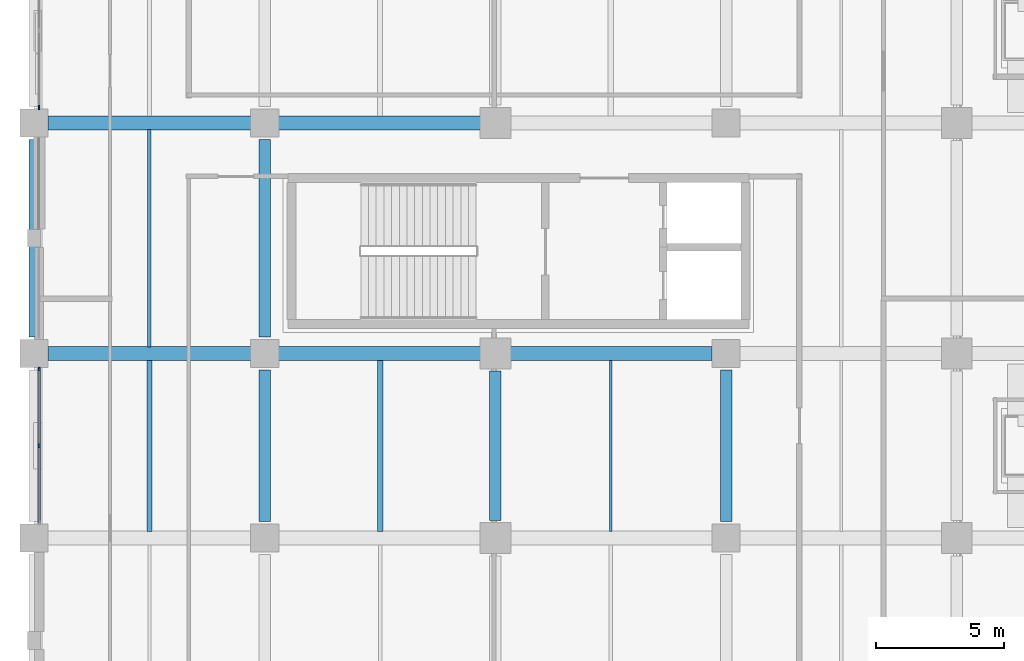
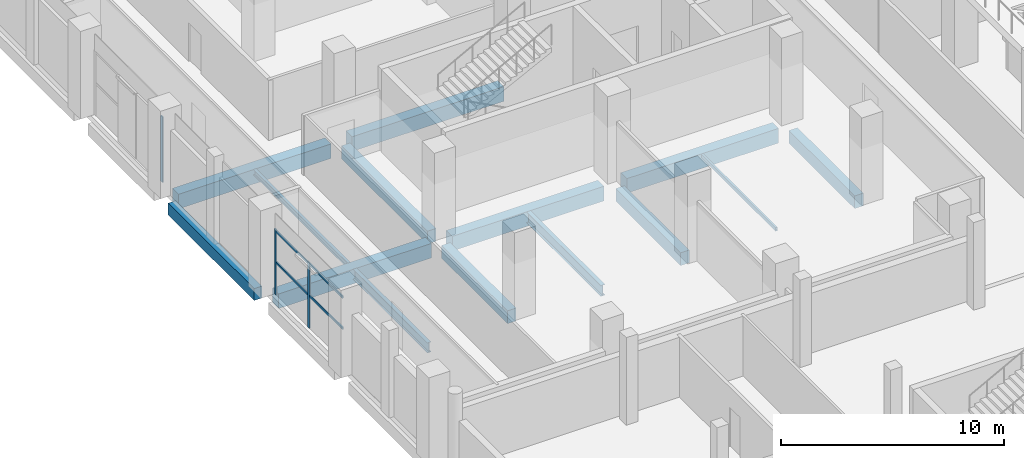
# One storey, part 9 of 100: 14 beams, 5 members, 2 elements without a shape of their own.
"""IFC4 building model written with IfcOpenShell, lengths in metres."""

import ifcopenshell
import ifcopenshell.guid

model = None  # the IFC model being written
_history = None  # IfcOwnerHistory: only IFC2X3 demands one
_inside = {}  # id of a spatial element -> (the spatial element, [elements in it])
_under = {}  # id of a project, library or spatial element -> (it, [spatial elements below it])
_declared = {}  # id of a project -> (the project, [libraries it declares])
_typed = {}  # id of a type object -> (the type object, [elements of that type])
_made_of = {}  # id of a material, layer set ... -> (it, [elements and type objects made of it])


def new_model(schema):
    """Start an empty IFC model of exactly this schema.

    Asked for "IFC4X3", IfcOpenShell would pick the latest addendum, in which some entities
    have other attributes; the version numbers below select the first issue.
    IFC2X3 requires an IfcOwnerHistory on every rooted entity: one is made here for all.
    """
    global model, _history
    if schema == "IFC4X3":
        model = ifcopenshell.file(schema_version=(4, 3, 0, 0))
    else:
        model = ifcopenshell.file(schema=schema)
    _inside.clear()
    _under.clear()
    _declared.clear()
    _typed.clear()
    _made_of.clear()
    _history = None
    if model.schema == "IFC2X3":
        org = make("IfcOrganization", Name="unknown")
        user = make(
            "IfcPersonAndOrganization",
            ThePerson=make("IfcPerson", FamilyName="unknown"),
            TheOrganization=org,
        )
        app = make(
            "IfcApplication",
            ApplicationDeveloper=org,
            Version="unknown",
            ApplicationFullName="unknown",
            ApplicationIdentifier="unknown",
        )
        _history = make(
            "IfcOwnerHistory",
            OwningUser=user,
            OwningApplication=app,
            ChangeAction="ADDED",
            CreationDate=0,
        )
    return model


def make(cls, **values):
    """One entity of the class cls with the attributes given. An attribute that is None is left unset."""
    return model.create_entity(
        cls, **{name: value for name, value in values.items() if value is not None}
    )


def rooted(cls, **values):
    """An entity with a GlobalId (a new one), such as an element, a storey or a relation."""
    return make(cls, GlobalId=ifcopenshell.guid.new(), OwnerHistory=_history, **values)


def si_unit(unit_type, name, prefix=None):
    """IfcSIUnit, for example si_unit("LENGTHUNIT", "METRE", prefix="MILLI")."""
    return make("IfcSIUnit", UnitType=unit_type, Prefix=prefix, Name=name)


def assignment(units):
    """IfcUnitAssignment: the units of a project."""
    return None if units is None else make("IfcUnitAssignment", Units=units)


def point(xyz):
    """IfcCartesianPoint."""
    return None if xyz is None else make("IfcCartesianPoint", Coordinates=xyz)


def direction(xyz):
    """IfcDirection."""
    return None if xyz is None else make("IfcDirection", DirectionRatios=xyz)


def frame(location, z_axis=None, x_axis=None):
    """IfcAxis2Placement3D, a coordinate frame: its origin and axes. An axis left out is left unset."""
    return make(
        "IfcAxis2Placement3D",
        Location=point(location),
        Axis=direction(z_axis),
        RefDirection=direction(x_axis),
    )


def frame_2d(location, x_axis=None):
    """IfcAxis2Placement2D, a coordinate frame in the plane: its origin and x axis."""
    return make(
        "IfcAxis2Placement2D", Location=point(location), RefDirection=direction(x_axis)
    )


def origin():
    """The frame at (0, 0, 0) with its axes left unset."""
    return frame((0.0, 0.0, 0.0))


def origin_2d():
    """The frame at (0, 0) in the plane with its x axis left unset."""
    return frame_2d((0.0, 0.0))


def place(relative_to, where):
    """IfcLocalPlacement: puts the frame where relative to a parent placement (None: the world)."""
    return make(
        "IfcLocalPlacement", PlacementRelTo=relative_to, RelativePlacement=where
    )


def context(
    kind, dimensions, precision=None, world=None, true_north=None, identifier=None
):
    """IfcGeometricRepresentationContext, for example the 3D "Model" context."""
    return make(
        "IfcGeometricRepresentationContext",
        ContextIdentifier=identifier,
        ContextType=kind,
        CoordinateSpaceDimension=dimensions,
        Precision=precision,
        WorldCoordinateSystem=world,
        TrueNorth=true_north,
    )


def subcontext(parent, identifier, kind, view, scale=None):
    """IfcGeometricRepresentationSubContext, for example "Body" below "Model"."""
    return make(
        "IfcGeometricRepresentationSubContext",
        ContextIdentifier=identifier,
        ContextType=kind,
        ParentContext=parent,
        TargetScale=scale,
        TargetView=view,
    )


def project(units=None, contexts=None):
    """IfcProject with its units and contexts."""
    return rooted(
        "IfcProject",
        Name="project",
        RepresentationContexts=contexts,
        UnitsInContext=assignment(units),
    )


def spatial(cls, under=None, at=None, **own):
    """A site, building, storey or space (cls), placed at a placement, below another one or the project."""
    s = rooted(cls, ObjectPlacement=at, **own)
    if under is not None:
        _under.setdefault(under.id(), (under, []))[1].append(s)
    return s


def profile(cls, at=None, kind="AREA", **sizes):
    """A parametric profile (cls). Its sizes go by their IFC names, for example OverallWidth=200.0."""
    return make(cls, ProfileType=kind, Position=at, **sizes)


def rectangle(**sizes):
    """IfcRectangleProfileDef."""
    return profile("IfcRectangleProfileDef", **sizes)


def hollow_rectangle(**sizes):
    """IfcRectangleHollowProfileDef."""
    return profile("IfcRectangleHollowProfileDef", **sizes)


def i_section(**sizes):
    """IfcIShapeProfileDef."""
    return profile("IfcIShapeProfileDef", **sizes)


def extrude(swept, where, along, depth):
    """IfcExtrudedAreaSolid: the profile swept, set in the frame where, extruded along a direction by depth."""
    return make(
        "IfcExtrudedAreaSolid",
        SweptArea=swept,
        Position=where,
        ExtrudedDirection=direction(along),
        Depth=depth,
    )


def shape(context_of_items, identifier, shape_type, items):
    """IfcShapeRepresentation: the items that make up one representation, for example the "Body"."""
    return make(
        "IfcShapeRepresentation",
        ContextOfItems=context_of_items,
        RepresentationIdentifier=identifier,
        RepresentationType=shape_type,
        Items=items,
    )


def material(Name=None, Category=None):
    """IfcMaterial."""
    return make("IfcMaterial", Name=Name, Category=Category)


def material_profile(
    of_material, cross_section, Name=None, Category=None, Priority=None
):
    """IfcMaterialProfile: a cross section and its material."""
    return make(
        "IfcMaterialProfile",
        Name=Name,
        Material=of_material,
        Profile=cross_section,
        Priority=Priority,
        Category=Category,
    )


def profile_set(profiles, Name=None, composite=None):
    """IfcMaterialProfileSet."""
    return make(
        "IfcMaterialProfileSet",
        Name=Name,
        MaterialProfiles=profiles,
        CompositeProfile=composite,
    )


def made_of(thing, what):
    """Note that an element or type object is made of a material, layer set ...; save() writes the relation."""
    if what is not None:
        _made_of.setdefault(what.id(), (what, []))[1].append(thing)
    return thing


def type_object(cls, material=None, **own):
    """A type object (cls), such as IfcWallType, which elements share."""
    return made_of(rooted(cls, **own), material)


def element(
    cls,
    number,
    at=None,
    inside=None,
    cuts=None,
    type_object=None,
    material=None,
    context=None,
    identifier="Body",
    shape_type=None,
    held_by="IfcProductDefinitionShape",
    body=None,
    shapes=None,
    **own,
):
    """One element of the class cls, such as IfcWall. Its Tag is "e" and its number.

    at: its placement. inside: the storey or other place that contains it. cuts: it is an
    opening in that element (IfcRelVoidsElement). A single representation is given by context,
    identifier, shape_type and body (its items); several are given by shapes. held_by: the class
    of the entity that holds the representations. save() writes the other relations.
    """
    e = rooted(cls, Tag="e%d" % number, ObjectPlacement=at, **own)
    if body is not None:
        shapes = [shape(context, identifier, shape_type, body)]
    if shapes is not None:
        e.Representation = make(held_by, Representations=shapes)
    if inside is not None:
        _inside.setdefault(inside.id(), (inside, []))[1].append(e)
    if cuts is not None:
        rooted(
            "IfcRelVoidsElement", RelatingBuildingElement=cuts, RelatedOpeningElement=e
        )
    if type_object is not None:
        _typed.setdefault(type_object.id(), (type_object, []))[1].append(e)
    return made_of(e, material)


def aggregate(whole, parts):
    """IfcRelAggregates: a whole, such as a stair, and the parts it consists of."""
    return rooted("IfcRelAggregates", RelatingObject=whole, RelatedObjects=parts)


def save(model, path):
    """Write the relations noted so far, then the file.

    IfcRelAggregates (storeys below a building ...), IfcRelContainedInSpatialStructure (elements
    in a storey), IfcRelDefinesByType, IfcRelAssociatesMaterial and IfcRelDeclares: one each for
    every whole, place, type object, material and project.
    """
    for whole, parts in _under.values():
        aggregate(whole, parts)
    for where, things in _inside.values():
        rooted(
            "IfcRelContainedInSpatialStructure",
            RelatedElements=things,
            RelatingStructure=where,
        )
    for kind, things in _typed.values():
        rooted("IfcRelDefinesByType", RelatedObjects=things, RelatingType=kind)
    for what, things in _made_of.values():
        rooted("IfcRelAssociatesMaterial", RelatedObjects=things, RelatingMaterial=what)
    for by, libraries in _declared.values():
        rooted("IfcRelDeclares", RelatingContext=by, RelatedDefinitions=libraries)
    model.write(path)


model = new_model("IFC4")

# Units and contexts
model_context = context("Model", 3, precision=1e-05, world=origin(), true_north=direction((0.0, 1.0)))
body_context = subcontext(model_context, "Body", "Model", "MODEL_VIEW")
ifc_project = project(units=[si_unit("LENGTHUNIT", "METRE"), si_unit("AREAUNIT", "SQUARE_METRE"), si_unit("VOLUMEUNIT", "CUBIC_METRE"), si_unit("PLANEANGLEUNIT", "RADIAN"), si_unit("MASSUNIT", "GRAM", prefix="KILO"), si_unit("THERMODYNAMICTEMPERATUREUNIT", "KELVIN"), si_unit("POWERUNIT", "WATT")], contexts=[model_context])

# Site, building, storey
site_placement = place(None, origin())
site = spatial("IfcSite", under=ifc_project, at=site_placement, CompositionType="ELEMENT")
building_placement = place(site_placement, origin())
building = spatial("IfcBuilding", under=site, at=building_placement, Name="Sindhuravela Promenade Stadium", CompositionType="ELEMENT")
storey_placement = place(building_placement, frame((0.0, 0.0, 4.800048828125)))
storey = spatial("IfcBuildingStorey", under=building, at=storey_placement, Name="L01", CompositionType="ELEMENT", Elevation=4.800048828125)

# Curtain wall, members
ifc_material_1 = material(Name="Anodised architectural aluminium 6063-T6", Category="aluminium")
curtain_wall_type_1 = type_object("IfcCurtainWallType", Name="CW-MOD-2", PredefinedType="NOTDEFINED", material=ifc_material_1)
curtain_wall_1_placement = place(storey_placement, origin())
curtain_wall_1 = element("IfcCurtainWall", 1, at=curtain_wall_1_placement, inside=storey, type_object=curtain_wall_type_1, Name="Bronze curtain wall CW-WEST-L01-001", PredefinedType="NOTDEFINED")
ifc_material_profile_1 = material_profile(ifc_material_1, rectangle(XDim=0.06494140625, YDim=0.14990234375, at=origin_2d()), Name="ALU MULL 65x150")
ifc_profile_set_1 = profile_set([ifc_material_profile_1], Name="Anodised architectural aluminium 6063-T6")
member_type_1 = type_object("IfcMemberType", Name="CW-MUL-2", PredefinedType="MULLION", material=ifc_profile_set_1)
member_1_placement = place(storey_placement, frame((0.199951171875, 48.60009765625, 0.0), z_axis=(0.0, 0.0, 1.0), x_axis=(1.0, 0.0, 0.0)))
member_1 = element("IfcMember", 2, at=member_1_placement, type_object=member_type_1, Name="Curtain wall mullion CW-WEST-L01-001-M2", PredefinedType="MULLION", context=body_context, shape_type="SweptSolid", body=[
    extrude(rectangle(XDim=0.06494140625, YDim=0.14990234375, at=origin_2d()), origin(), (0.0, 0.0, 1.0), 3.579833984375),
])
member_2_placement = place(storey_placement, frame((0.199951171875, 51.60009765625, 0.0), z_axis=(0.0, 0.0, 1.0), x_axis=(1.0, 0.0, 0.0)))
member_2 = element("IfcMember", 3, at=member_2_placement, type_object=member_type_1, Name="Curtain wall mullion CW-WEST-L01-001-M3", PredefinedType="MULLION", context=body_context, shape_type="SweptSolid", body=[
    extrude(rectangle(XDim=0.06494140625, YDim=0.14990234375, at=origin_2d()), origin(), (0.0, 0.0, 1.0), 3.579833984375),
])

# Curtain wall, member
curtain_wall_type_2 = type_object("IfcCurtainWallType", Name="CW-MOD-3", PredefinedType="NOTDEFINED", material=ifc_material_1)
curtain_wall_2_placement = place(storey_placement, origin())
curtain_wall_2 = element("IfcCurtainWall", 4, at=curtain_wall_2_placement, inside=storey, type_object=curtain_wall_type_2, Name="Bronze curtain wall CW-WEST-L01-002", PredefinedType="NOTDEFINED")
ifc_material_profile_2 = material_profile(ifc_material_1, rectangle(XDim=0.06005859375, YDim=0.179931640625, at=origin_2d()), Name="ALU M60x180")
ifc_profile_set_2 = profile_set([ifc_material_profile_2], Name="Anodised architectural aluminium 6063-T6")
member_type_2 = type_object("IfcMemberType", Name="CW-MUL-3", PredefinedType="MULLION", material=ifc_profile_set_2)
member_3_placement = place(storey_placement, frame((0.199951171875, 61.800048828125, 0.0), z_axis=(0.0, 0.0, 1.0), x_axis=(1.0, 0.0, 0.0)))
member_3 = element("IfcMember", 5, at=member_3_placement, type_object=member_type_2, Name="Curtain wall mullion CW-WEST-L01-002-M1", PredefinedType="MULLION", context=body_context, shape_type="SweptSolid", body=[
    extrude(rectangle(XDim=0.06005859375, YDim=0.179931640625, at=origin_2d()), origin(), (0.0, 0.0, 1.0), 3.579833984375),
])
aggregate(curtain_wall_2, [member_3])

# Member
ifc_material_profile_3 = material_profile(ifc_material_1, rectangle(XDim=0.06494140625, YDim=0.125, at=origin_2d()), Name="ALU TRAN 65x125")
ifc_profile_set_3 = profile_set([ifc_material_profile_3], Name="Anodised architectural aluminium 6063-T6")
member_type_3 = type_object("IfcMemberType", Name="CW-TRN-2", PredefinedType="USERDEFINED", material=ifc_profile_set_3)
member_4_placement = place(storey_placement, frame((0.199951171875, 45.574951171875, 1.7900390625), z_axis=(0.0, 1.0, 0.0), x_axis=(-1.0, 0.0, 0.0)))
member_4 = element("IfcMember", 6, at=member_4_placement, type_object=member_type_3, Name="Curtain wall transom CW-WEST-L01-001-T1", ObjectType="TRANSOM", PredefinedType="USERDEFINED", context=body_context, shape_type="SweptSolid", body=[
    extrude(rectangle(XDim=0.06494140625, YDim=0.125, at=origin_2d()), origin(), (0.0, 0.0, 1.0), 6.050048828125),
])

member_5_placement = place(storey_placement, frame((0.199951171875, 45.574951171875, 3.5), z_axis=(0.0, 1.0, 0.0), x_axis=(-1.0, 0.0, 0.0)))
member_5 = element("IfcMember", 7, at=member_5_placement, type_object=member_type_3, Name="Curtain wall transom CW-WEST-L01-001-T2", ObjectType="TRANSOM", PredefinedType="USERDEFINED", context=body_context, shape_type="SweptSolid", body=[
    extrude(rectangle(XDim=0.06494140625, YDim=0.125, at=origin_2d()), origin(), (0.0, 0.0, 1.0), 6.050048828125),
])

aggregate(curtain_wall_1, [member_1, member_2, member_4, member_5])

# Beams
ifc_material_2 = material(Name="Concrete M40", Category="concrete")
ifc_material_profile_4 = material_profile(ifc_material_2, rectangle(XDim=0.39990234375, YDim=0.64990234375, at=origin_2d()), Name="RC 400x650")
ifc_profile_set_4 = profile_set([ifc_material_profile_4], Name="Concrete M40")
beam_type_1 = type_object("IfcBeamType", Name="RC-BM-400x650", PredefinedType="SPANDREL", material=ifc_profile_set_4)
beam_1_placement = place(storey_placement, frame((0.0, 52.840087890625, -0.625), z_axis=(0.0, 1.0, 0.0), x_axis=(-1.0, 0.0, 0.0)))
element("IfcBeam", 8, at=beam_1_placement, inside=storey, type_object=beam_type_1, Name="Primary beam SP01 WEST L01", PredefinedType="SPANDREL", context=body_context, shape_type="SweptSolid", body=[
    extrude(rectangle(XDim=0.39990234375, YDim=0.64990234375, at=origin_2d()), origin(), (0.0, 0.0, 1.0), 7.719970703125),
])
ifc_material_profile_5 = material_profile(ifc_material_2, rectangle(XDim=0.449951171875, YDim=0.699951171875, at=origin_2d()), Name="RC 450x700")
ifc_profile_set_5 = profile_set([ifc_material_profile_5], Name="Concrete M40")
beam_type_2 = type_object("IfcBeamType", Name="RC-BM-450x700", PredefinedType="BEAM", material=ifc_profile_set_5)
beam_2_placement = place(storey_placement, frame((9.0, 45.639892578125, -0.650146484375), z_axis=(0.0, 1.0, 0.0), x_axis=(-1.0, 0.0, 0.0)))
element("IfcBeam", 9, at=beam_2_placement, inside=storey, type_object=beam_type_2, Name="Primary beam GB07 WEST L01", PredefinedType="BEAM", context=body_context, shape_type="SweptSolid", body=[
    extrude(rectangle(XDim=0.449951171875, YDim=0.699951171875, at=origin_2d()), origin(), (0.0, 0.0, 1.0), 5.920166015625),
])
beam_3_placement = place(storey_placement, frame((9.0, 52.840087890625, -0.650146484375), z_axis=(0.0, 1.0, 0.0), x_axis=(-1.0, 0.0, 0.0)))
element("IfcBeam", 10, at=beam_3_placement, inside=storey, type_object=beam_type_2, Name="Primary beam GB07 WEST L01", PredefinedType="BEAM", context=body_context, shape_type="SweptSolid", body=[
    extrude(rectangle(XDim=0.449951171875, YDim=0.699951171875, at=origin_2d()), origin(), (0.0, 0.0, 1.0), 7.719970703125),
])
beam_4_placement = place(storey_placement, frame((18.0, 45.68994140625, -0.650146484375), z_axis=(0.0, 1.0, 0.0), x_axis=(-1.0, 0.0, 0.0)))
element("IfcBeam", 11, at=beam_4_placement, inside=storey, type_object=beam_type_2, Name="Primary beam GB07 WEST L01", PredefinedType="BEAM", context=body_context, shape_type="SweptSolid", body=[
    extrude(rectangle(XDim=0.449951171875, YDim=0.699951171875, at=origin_2d()), origin(), (0.0, 0.0, 1.0), 5.820068359375),
])
beam_5_placement = place(storey_placement, frame((27.0, 45.639892578125, -0.650146484375), z_axis=(0.0, 1.0, 0.0), x_axis=(-1.0, 0.0, 0.0)))
element("IfcBeam", 12, at=beam_5_placement, inside=storey, type_object=beam_type_2, Name="Primary beam GB07 WEST L01", PredefinedType="BEAM", context=body_context, shape_type="SweptSolid", body=[
    extrude(rectangle(XDim=0.449951171875, YDim=0.699951171875, at=origin_2d()), origin(), (0.0, 0.0, 1.0), 5.920166015625),
])
ifc_material_profile_6 = material_profile(ifc_material_2, rectangle(XDim=0.550048828125, YDim=0.800048828125, at=origin_2d()), Name="RC 550x800")
ifc_profile_set_6 = profile_set([ifc_material_profile_6], Name="Concrete M40")
beam_type_3 = type_object("IfcBeamType", Name="RC-BM-550x800", PredefinedType="BEAM", material=ifc_profile_set_6)
beam_6_placement = place(storey_placement, frame((0.5400390625, 52.199951171875, -0.699951171875), z_axis=(1.0, 0.0, 0.0), x_axis=(0.0, 1.0, 0.0)))
element("IfcBeam", 13, at=beam_6_placement, inside=storey, type_object=beam_type_3, Name="Primary girder GB05 WEST L01", PredefinedType="BEAM", context=body_context, shape_type="SweptSolid", body=[
    extrude(rectangle(XDim=0.550048828125, YDim=0.800048828125, at=origin_2d()), origin(), (0.0, 0.0, 1.0), 7.919921875),
])
for number, where, z_axis, x_axis, name in (
    (14, (9.5400390625, 52.199951171875, -0.699951171875), (1.0, 0.0, 0.0), (0.0, 1.0, 0.0), "Primary girder GB05 WEST L01"),
    (15, (18.590087890625, 52.199951171875, -0.699951171875), (1.0, 0.0, 0.0), (0.0, 1.0, 0.0), "Primary girder GB05 WEST L01"),
):
    element("IfcBeam", number, at=place(storey_placement, frame(where, z_axis=z_axis, x_axis=x_axis)), inside=storey, type_object=beam_type_3, Name=name, PredefinedType="BEAM", context=body_context, shape_type="SweptSolid", body=[
        extrude(rectangle(XDim=0.550048828125, YDim=0.800048828125, at=origin_2d()), origin(), (0.0, 0.0, 1.0), 7.869873046875),
    ])
beam_7_placement = place(storey_placement, frame((0.5400390625, 61.199951171875, -0.699951171875), z_axis=(1.0, 0.0, 0.0), x_axis=(0.0, 1.0, 0.0)))
element("IfcBeam", 16, at=beam_7_placement, inside=storey, type_object=beam_type_3, Name="Primary girder GB05 WEST L01", PredefinedType="BEAM", context=body_context, shape_type="SweptSolid", body=[
    extrude(rectangle(XDim=0.550048828125, YDim=0.800048828125, at=origin_2d()), origin(), (0.0, 0.0, 1.0), 7.919921875),
])
beam_8_placement = place(storey_placement, frame((9.5400390625, 61.199951171875, -0.699951171875), z_axis=(1.0, 0.0, 0.0), x_axis=(0.0, 1.0, 0.0)))
element("IfcBeam", 17, at=beam_8_placement, inside=storey, type_object=beam_type_3, Name="Primary girder GB05 WEST L01", PredefinedType="BEAM", context=body_context, shape_type="SweptSolid", body=[
    extrude(rectangle(XDim=0.550048828125, YDim=0.800048828125, at=origin_2d()), origin(), (0.0, 0.0, 1.0), 7.869873046875),
])
ifc_material_3 = material(Name="Steel E350 (IS 2062 E350BR)", Category="steel")
ifc_material_profile_7 = material_profile(ifc_material_3, hollow_rectangle(XDim=0.10009765625, YDim=0.199951171875, WallThickness=0.008056640625, at=origin_2d()), Name="RHS 200x100x8")
ifc_profile_set_7 = profile_set([ifc_material_profile_7], Name="Steel E350 (IS 2062 E350BR)")
beam_type_4 = type_object("IfcBeamType", Name="ST-BM-LNT200", PredefinedType="LINTEL", material=ifc_profile_set_7)
beam_9_placement = place(storey_placement, frame((22.5, 45.264892578125, -0.400146484375), z_axis=(0.0, 1.0, 0.0), x_axis=(-1.0, 0.0, 0.0)))
element("IfcBeam", 18, at=beam_9_placement, inside=storey, type_object=beam_type_4, Name="Secondary floor joist LN01 WEST L01", PredefinedType="LINTEL", context=body_context, shape_type="SweptSolid", body=[
    extrude(hollow_rectangle(XDim=0.10009765625, YDim=0.199951171875, WallThickness=0.008056640625, at=origin_2d()), origin(), (0.0, 0.0, 1.0), 6.670166015625),
])
ifc_material_profile_8 = material_profile(ifc_material_3, i_section(OverallWidth=0.139892578125, OverallDepth=0.300048828125, WebThickness=0.0078125, FlangeThickness=0.01318359375, FilletRadius=0.013916015625, at=origin_2d()), Name="ISMB 300")
ifc_profile_set_8 = profile_set([ifc_material_profile_8], Name="Steel E350 (IS 2062 E350BR)")
beam_type_5 = type_object("IfcBeamType", Name="ST-BM-MB300", PredefinedType="JOIST", material=ifc_profile_set_8)
beam_10_placement = place(storey_placement, frame((4.5, 52.465087890625, -0.449951171875), z_axis=(0.0, 1.0, 0.0), x_axis=(-1.0, 0.0, 0.0)))
element("IfcBeam", 19, at=beam_10_placement, inside=storey, type_object=beam_type_5, Name="Secondary floor joist SB03 WEST L01", PredefinedType="JOIST", context=body_context, shape_type="SweptSolid", body=[
    extrude(i_section(OverallWidth=0.139892578125, OverallDepth=0.300048828125, WebThickness=0.0078125, FlangeThickness=0.01318359375, FilletRadius=0.013916015625, at=origin_2d()), origin(), (0.0, 0.0, 1.0), 8.469970703125),
])
ifc_material_profile_9 = material_profile(ifc_material_3, i_section(OverallWidth=0.18994140625, OverallDepth=0.550048828125, WebThickness=0.01123046875, FlangeThickness=0.019287109375, FilletRadius=0.01806640625, at=origin_2d()), Name="ISMB 550")
ifc_profile_set_9 = profile_set([ifc_material_profile_9], Name="Steel E350 (IS 2062 E350BR)")
beam_type_6 = type_object("IfcBeamType", Name="ST-BM-MB550", PredefinedType="SPANDREL", material=ifc_profile_set_9)
beam_11_placement = place(storey_placement, frame((4.5, 45.264892578125, -0.574951171875), z_axis=(0.0, 1.0, 0.0), x_axis=(-1.0, 0.0, 0.0)))
element("IfcBeam", 20, at=beam_11_placement, inside=storey, type_object=beam_type_6, Name="Secondary floor joist SB08 WEST L01", PredefinedType="SPANDREL", context=body_context, shape_type="SweptSolid", body=[
    extrude(i_section(OverallWidth=0.18994140625, OverallDepth=0.550048828125, WebThickness=0.01123046875, FlangeThickness=0.019287109375, FilletRadius=0.01806640625, at=origin_2d()), origin(), (0.0, 0.0, 1.0), 6.670166015625),
])
ifc_material_profile_10 = material_profile(ifc_material_3, i_section(OverallWidth=0.2099609375, OverallDepth=0.60009765625, WebThickness=0.011962890625, FlangeThickness=0.020751953125, FilletRadius=0.02001953125, at=origin_2d()), Name="ISMB 600")
ifc_profile_set_10 = profile_set([ifc_material_profile_10], Name="Steel E350 (IS 2062 E350BR)")
beam_type_7 = type_object("IfcBeamType", Name="ST-BM-MB600", PredefinedType="BEAM", material=ifc_profile_set_10)
beam_12_placement = place(storey_placement, frame((13.5, 45.264892578125, -0.60009765625), z_axis=(0.0, 1.0, 0.0), x_axis=(-1.0, 0.0, 0.0)))
element("IfcBeam", 21, at=beam_12_placement, inside=storey, type_object=beam_type_7, Name="Secondary floor joist SB09 WEST L01", PredefinedType="BEAM", context=body_context, shape_type="SweptSolid", body=[
    extrude(i_section(OverallWidth=0.2099609375, OverallDepth=0.60009765625, WebThickness=0.011962890625, FlangeThickness=0.020751953125, FilletRadius=0.02001953125, at=origin_2d()), origin(), (0.0, 0.0, 1.0), 6.670166015625),
])

save(model, "model.ifc")
